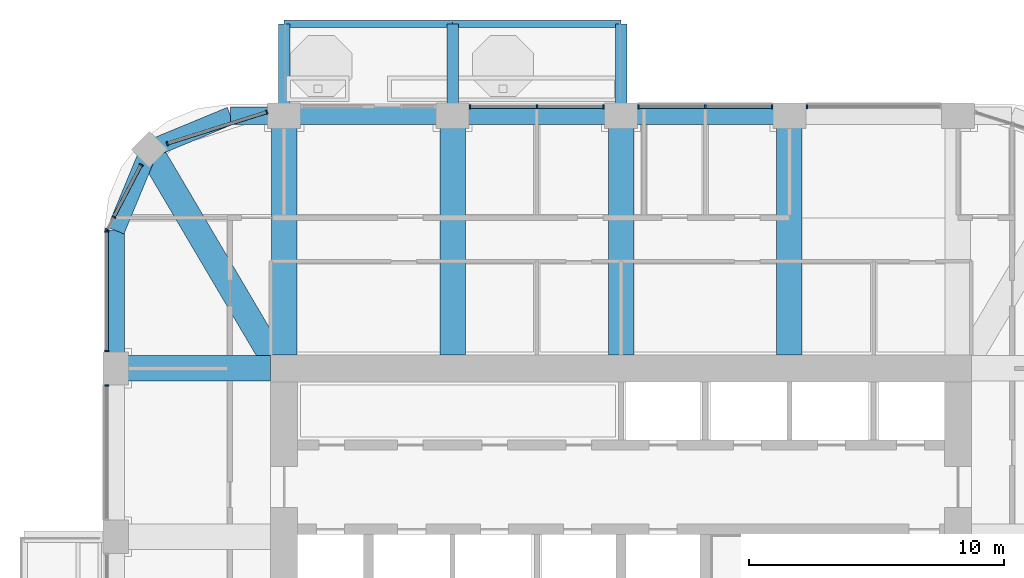
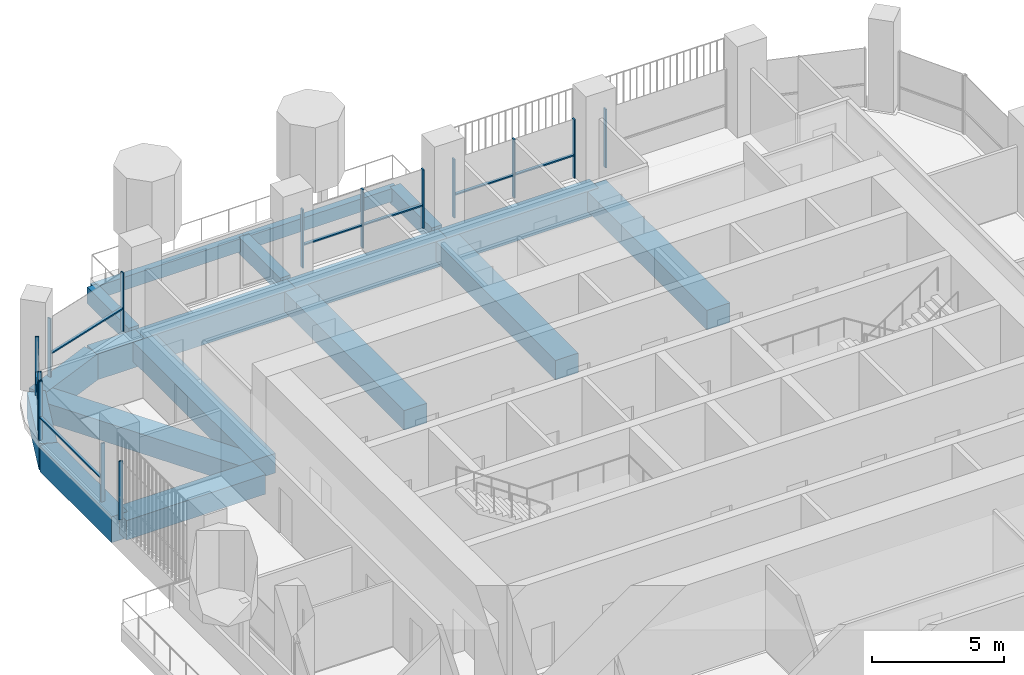
# One storey, part 6 of 20: 22 members, 18 beams, 7 elements without a shape of their own.
"""IFC4 building model written with IfcOpenShell, lengths in metres."""

from ifc_helpers import new_model, si_unit, direction, frame, origin, origin_2d, place, context, subcontext, project, spatial, rectangle, extrude, material, material_profile, profile_set, type_object, element, aggregate, save


model = new_model("IFC4")

# Units and contexts
model_context = context("Model", 3, precision=1e-05, world=origin(), true_north=direction((0.0, 1.0)))
body_context = subcontext(model_context, "Body", "Model", "MODEL_VIEW")
ifc_project = project(units=[si_unit("LENGTHUNIT", "METRE"), si_unit("AREAUNIT", "SQUARE_METRE"), si_unit("VOLUMEUNIT", "CUBIC_METRE"), si_unit("PLANEANGLEUNIT", "RADIAN"), si_unit("MASSUNIT", "GRAM", prefix="KILO")], contexts=[model_context])

# Site, building, storey
site_placement = place(None, origin())
site = spatial("IfcSite", under=ifc_project, at=site_placement, CompositionType="ELEMENT")
building_placement = place(site_placement, origin())
building = spatial("IfcBuilding", under=site, at=building_placement, Name="Cobogo Forest Laboratory Tower", CompositionType="ELEMENT")
storey_placement = place(building_placement, frame((0.0, 0.0, 246.0)))
storey = spatial("IfcBuildingStorey", under=building, at=storey_placement, Name="L56", CompositionType="ELEMENT", Elevation=246.0)

# Beams
ifc_material_1 = material(Name="Concrete HA-40 (C40/50)", Category="concrete")
ifc_material_profile_1 = material_profile(ifc_material_1, rectangle(XDim=0.449951171875, YDim=0.75, at=origin_2d()), Name="RC 450x750")
ifc_profile_set_1 = profile_set([ifc_material_profile_1], Name="Concrete HA-40 (C40/50)")
beam_type_1 = type_object("IfcBeamType", Name="Balcony cantilever beam 450x750", PredefinedType="BEAM", material=ifc_profile_set_1)
for number, where, z_axis, x_axis, name in (
    (1, (13.199951171875, 43.35009765625, -0.625), (0.0, 1.0, 0.0), (-1.0, 0.0, 0.0), "CB1 BAL-N1-C1 L56"),
    (2, (19.800048828125, 43.35009765625, -0.625), (0.0, 1.0, 0.0), (-1.0, 0.0, 0.0), "CB1 BAL-N1-C2 L56"),
    (3, (26.39990234375, 43.35009765625, -0.625), (0.0, 1.0, 0.0), (-1.0, 0.0, 0.0), "CB1 BAL-N1-C3 L56"),
):
    element("IfcBeam", number, at=place(storey_placement, frame(where, z_axis=z_axis, x_axis=x_axis)), inside=storey, type_object=beam_type_1, Name=name, PredefinedType="BEAM", context=body_context, shape_type="SweptSolid", body=[
        extrude(rectangle(XDim=0.449951171875, YDim=0.75, at=origin_2d()), origin(), (0.0, 0.0, 1.0), 3.14990234375),
    ])
ifc_material_profile_2 = material_profile(ifc_material_1, rectangle(XDim=0.300048828125, YDim=0.60009765625, at=origin_2d()), Name="RC 300x600")
ifc_profile_set_2 = profile_set([ifc_material_profile_2], Name="Concrete HA-40 (C40/50)")
beam_type_2 = type_object("IfcBeamType", Name="Balcony edge beam 300x600", PredefinedType="BEAM", material=ifc_profile_set_2)
beam_1_placement = place(storey_placement, frame((13.199951171875, 46.5, -0.550048828125), z_axis=(1.0, 0.0, 0.0), x_axis=(0.0, 1.0, 0.0)))
element("IfcBeam", 4, at=beam_1_placement, inside=storey, type_object=beam_type_2, Name="BB1 BAL-N1-T1 L56", PredefinedType="BEAM", context=body_context, shape_type="SweptSolid", body=[
    extrude(rectangle(XDim=0.300048828125, YDim=0.60009765625, at=origin_2d()), origin(), (0.0, 0.0, 1.0), 6.60009765625),
])
beam_2_placement = place(storey_placement, frame((19.800048828125, 46.5, -0.550048828125), z_axis=(1.0, 0.0, 0.0), x_axis=(0.0, 1.0, 0.0)))
element("IfcBeam", 5, at=beam_2_placement, inside=storey, type_object=beam_type_2, Name="BB1 BAL-N1-T2 L56", PredefinedType="BEAM", context=body_context, shape_type="SweptSolid", body=[
    extrude(rectangle(XDim=0.300048828125, YDim=0.60009765625, at=origin_2d()), origin(), (0.0, 0.0, 1.0), 6.599853515625),
])

# Curtain wall, member
ifc_material_2 = material(Name="Aluminium curtain wall", Category="aluminium")
curtain_wall_type = type_object("IfcCurtainWallType", Name="CW-2 unitised curtain wall, solar control glazing, laboratory floors zones C and D", PredefinedType="USERDEFINED", material=ifc_material_2)
curtain_wall_1_placement = place(storey_placement, origin())
curtain_wall_1 = element("IfcCurtainWall", 6, at=curtain_wall_1_placement, inside=storey, type_object=curtain_wall_type, Name="Curtain wall 14 L56", ObjectType="UNITISED CURTAIN WALL", PredefinedType="USERDEFINED")
ifc_material_3 = material(Name="Aluminium mullion", Category="aluminium")
ifc_material_profile_3 = material_profile(ifc_material_3, rectangle(XDim=0.06005859375, YDim=0.159912109375, at=origin_2d()), Name="AL 60x160")
ifc_profile_set_3 = profile_set([ifc_material_profile_3], Name="Aluminium mullion")
member_type_1 = type_object("IfcMemberType", Name="MU-1 aluminium mullion 60x160", PredefinedType="MULLION", material=ifc_profile_set_3)
member_1_placement = place(storey_placement, frame((33.679931640625, 43.25, 0.0), z_axis=(0.0, 0.0, 1.0), x_axis=(-1.0, 0.0, 0.0)))
member_1 = element("IfcMember", 7, at=member_1_placement, type_object=member_type_1, Name="CW-2 mullion 2", PredefinedType="MULLION", context=body_context, shape_type="SweptSolid", body=[
    extrude(rectangle(XDim=0.06005859375, YDim=0.159912109375, at=origin_2d()), origin(), (0.0, 0.0, 1.0), 2.699951171875),
])
aggregate(curtain_wall_1, [member_1])

# Curtain wall, members
curtain_wall_2_placement = place(storey_placement, origin())
curtain_wall_2 = element("IfcCurtainWall", 8, at=curtain_wall_2_placement, inside=storey, type_object=curtain_wall_type, Name="Curtain wall 15 L56", ObjectType="UNITISED CURTAIN WALL", PredefinedType="USERDEFINED")
member_2_placement = place(storey_placement, frame((32.320068359375, 43.25, 0.0), z_axis=(0.0, 0.0, 1.0), x_axis=(-1.0, 0.0, 0.0)))
member_2 = element("IfcMember", 9, at=member_2_placement, type_object=member_type_1, Name="CW-2 mullion 1", PredefinedType="MULLION", context=body_context, shape_type="SweptSolid", body=[
    extrude(rectangle(XDim=0.06005859375, YDim=0.159912109375, at=origin_2d()), origin(), (0.0, 0.0, 1.0), 2.699951171875),
])
member_3_placement = place(storey_placement, frame((29.699951171875, 43.25, 0.0), z_axis=(0.0, 0.0, 1.0), x_axis=(-1.0, 0.0, 0.0)))
member_3 = element("IfcMember", 10, at=member_3_placement, type_object=member_type_1, Name="CW-2 mullion 2", PredefinedType="MULLION", context=body_context, shape_type="SweptSolid", body=[
    extrude(rectangle(XDim=0.06005859375, YDim=0.159912109375, at=origin_2d()), origin(), (0.0, 0.0, 1.0), 2.699951171875),
])
member_4_placement = place(storey_placement, frame((27.080078125, 43.25, 0.0), z_axis=(0.0, 0.0, 1.0), x_axis=(-1.0, 0.0, 0.0)))
member_4 = element("IfcMember", 11, at=member_4_placement, type_object=member_type_1, Name="CW-2 mullion 3", PredefinedType="MULLION", context=body_context, shape_type="SweptSolid", body=[
    extrude(rectangle(XDim=0.06005859375, YDim=0.159912109375, at=origin_2d()), origin(), (0.0, 0.0, 1.0), 2.699951171875),
])

curtain_wall_3_placement = place(storey_placement, origin())
curtain_wall_3 = element("IfcCurtainWall", 12, at=curtain_wall_3_placement, inside=storey, type_object=curtain_wall_type, Name="Curtain wall 16 L56", ObjectType="UNITISED CURTAIN WALL", PredefinedType="USERDEFINED")
member_5_placement = place(storey_placement, frame((25.719970703125, 43.25, 0.0), z_axis=(0.0, 0.0, 1.0), x_axis=(-1.0, 0.0, 0.0)))
member_5 = element("IfcMember", 13, at=member_5_placement, type_object=member_type_1, Name="CW-2 mullion 1", PredefinedType="MULLION", context=body_context, shape_type="SweptSolid", body=[
    extrude(rectangle(XDim=0.06005859375, YDim=0.159912109375, at=origin_2d()), origin(), (0.0, 0.0, 1.0), 2.699951171875),
])
member_6_placement = place(storey_placement, frame((23.10009765625, 43.25, 0.0), z_axis=(0.0, 0.0, 1.0), x_axis=(-1.0, 0.0, 0.0)))
member_6 = element("IfcMember", 14, at=member_6_placement, type_object=member_type_1, Name="CW-2 mullion 2", PredefinedType="MULLION", context=body_context, shape_type="SweptSolid", body=[
    extrude(rectangle(XDim=0.06005859375, YDim=0.159912109375, at=origin_2d()), origin(), (0.0, 0.0, 1.0), 2.699951171875),
])
member_7_placement = place(storey_placement, frame((20.47998046875, 43.25, 0.0), z_axis=(0.0, 0.0, 1.0), x_axis=(-1.0, 0.0, 0.0)))
member_7 = element("IfcMember", 15, at=member_7_placement, type_object=member_type_1, Name="CW-2 mullion 3", PredefinedType="MULLION", context=body_context, shape_type="SweptSolid", body=[
    extrude(rectangle(XDim=0.06005859375, YDim=0.159912109375, at=origin_2d()), origin(), (0.0, 0.0, 1.0), 2.699951171875),
])

curtain_wall_4_placement = place(storey_placement, origin())
curtain_wall_4 = element("IfcCurtainWall", 16, at=curtain_wall_4_placement, inside=storey, type_object=curtain_wall_type, Name="Curtain wall 18 L56", ObjectType="UNITISED CURTAIN WALL", PredefinedType="USERDEFINED")
member_8_placement = place(storey_placement, frame((12.521484375, 43.03564453125, 0.0), z_axis=(0.0, 0.0, 1.0), x_axis=(-0.953581386052, -0.301135418334, 0.0)))
member_8 = element("IfcMember", 17, at=member_8_placement, type_object=member_type_1, Name="CW-2 mullion 1", PredefinedType="MULLION", context=body_context, shape_type="SweptSolid", body=[
    extrude(rectangle(XDim=0.06005859375, YDim=0.159912109375, at=origin_2d()), origin(), (0.0, 0.0, 1.0), 2.699951171875),
])
member_9_placement = place(storey_placement, frame((8.623779296875, 41.804931640625, 0.0), z_axis=(0.0, 0.0, 1.0), x_axis=(-0.953581386052, -0.301135418334, 0.0)))
member_9 = element("IfcMember", 18, at=member_9_placement, type_object=member_type_1, Name="CW-2 mullion 2", PredefinedType="MULLION", context=body_context, shape_type="SweptSolid", body=[
    extrude(rectangle(XDim=0.06005859375, YDim=0.159912109375, at=origin_2d()), origin(), (0.0, 0.0, 1.0), 2.699951171875),
])

curtain_wall_5_placement = place(storey_placement, origin())
curtain_wall_5 = element("IfcCurtainWall", 19, at=curtain_wall_5_placement, inside=storey, type_object=curtain_wall_type, Name="Curtain wall 19 L56", ObjectType="UNITISED CURTAIN WALL", PredefinedType="USERDEFINED")
member_10_placement = place(storey_placement, frame((7.59765625, 40.970947265625, 0.0), z_axis=(0.0, 0.0, 1.0), x_axis=(-0.464283791352, -0.885686491422, 0.0)))
member_10 = element("IfcMember", 20, at=member_10_placement, type_object=member_type_1, Name="CW-2 mullion 1", PredefinedType="MULLION", context=body_context, shape_type="SweptSolid", body=[
    extrude(rectangle(XDim=0.06005859375, YDim=0.159912109375, at=origin_2d()), origin(), (0.0, 0.0, 1.0), 2.699951171875),
])
member_11_placement = place(storey_placement, frame((6.531494140625, 38.937255859375, 0.0), z_axis=(0.0, 0.0, 1.0), x_axis=(-0.464283791352, -0.885686491422, 0.0)))
member_11 = element("IfcMember", 21, at=member_11_placement, type_object=member_type_1, Name="CW-2 mullion 2", PredefinedType="MULLION", context=body_context, shape_type="SweptSolid", body=[
    extrude(rectangle(XDim=0.06005859375, YDim=0.159912109375, at=origin_2d()), origin(), (0.0, 0.0, 1.0), 2.699951171875),
])
member_12_placement = place(storey_placement, frame((6.263916015625, 38.426513671875, 0.0), z_axis=(0.0, 0.0, 1.0), x_axis=(-0.464283791352, -0.885686491422, 0.0)))
member_12 = element("IfcMember", 22, at=member_12_placement, type_object=member_type_1, Name="CW-2 mullion 3", PredefinedType="MULLION", context=body_context, shape_type="SweptSolid", body=[
    extrude(rectangle(XDim=0.06005859375, YDim=0.159912109375, at=origin_2d()), origin(), (0.0, 0.0, 1.0), 2.699951171875),
])

curtain_wall_6_placement = place(storey_placement, origin())
curtain_wall_6 = element("IfcCurtainWall", 23, at=curtain_wall_6_placement, inside=storey, type_object=curtain_wall_type, Name="Curtain wall 20 L56", ObjectType="UNITISED CURTAIN WALL", PredefinedType="USERDEFINED")
member_13_placement = place(storey_placement, frame((6.25, 38.3701171875, 0.0), z_axis=(0.0, 0.0, 1.0), x_axis=(0.0, -1.0, 0.0)))
member_13 = element("IfcMember", 24, at=member_13_placement, type_object=member_type_1, Name="CW-2 mullion 1", PredefinedType="MULLION", context=body_context, shape_type="SweptSolid", body=[
    extrude(rectangle(XDim=0.06005859375, YDim=0.159912109375, at=origin_2d()), origin(), (0.0, 0.0, 1.0), 2.699951171875),
])
member_14_placement = place(storey_placement, frame((6.25, 33.679931640625, 0.0), z_axis=(0.0, 0.0, 1.0), x_axis=(0.0, -1.0, 0.0)))
member_14 = element("IfcMember", 25, at=member_14_placement, type_object=member_type_1, Name="CW-2 mullion 2", PredefinedType="MULLION", context=body_context, shape_type="SweptSolid", body=[
    extrude(rectangle(XDim=0.06005859375, YDim=0.159912109375, at=origin_2d()), origin(), (0.0, 0.0, 1.0), 2.699951171875),
])

# Curtain wall, member
curtain_wall_7_placement = place(storey_placement, origin())
curtain_wall_7 = element("IfcCurtainWall", 26, at=curtain_wall_7_placement, inside=storey, type_object=curtain_wall_type, Name="Curtain wall 21 L56", ObjectType="UNITISED CURTAIN WALL", PredefinedType="USERDEFINED")
member_15_placement = place(storey_placement, frame((6.25, 32.320068359375, 0.0), z_axis=(0.0, 0.0, 1.0), x_axis=(0.0, -1.0, 0.0)))
member_15 = element("IfcMember", 27, at=member_15_placement, type_object=member_type_1, Name="CW-2 mullion 1", PredefinedType="MULLION", context=body_context, shape_type="SweptSolid", body=[
    extrude(rectangle(XDim=0.06005859375, YDim=0.159912109375, at=origin_2d()), origin(), (0.0, 0.0, 1.0), 2.699951171875),
])
aggregate(curtain_wall_7, [member_15])

# Beams
ifc_material_profile_4 = material_profile(ifc_material_1, rectangle(XDim=1.0, YDim=0.89990234375, at=origin_2d()), Name="RC 1000x900")
ifc_profile_set_4 = profile_set([ifc_material_profile_4], Name="Concrete HA-40 (C40/50)")
beam_type_3 = type_object("IfcBeamType", Name="Office floor wide beam 1000x900", PredefinedType="BEAM", material=ifc_profile_set_4)
for number, where, z_axis, x_axis, name in (
    (28, (13.199951171875, 33.52490234375, -0.75), (0.0, 1.0, 0.0), (-1.0, 0.0, 0.0), "RB2 R-3-N L56"),
    (29, (19.800048828125, 33.52490234375, -0.75), (0.0, 1.0, 0.0), (-1.0, 0.0, 0.0), "RB2 R-4-N L56"),
    (30, (26.39990234375, 33.52490234375, -0.75), (0.0, 1.0, 0.0), (-1.0, 0.0, 0.0), "RB2 R-5-N L56"),
    (31, (33.0, 33.52490234375, -0.75), (0.0, 1.0, 0.0), (-1.0, 0.0, 0.0), "RB2 R-6-N L56"),
):
    element("IfcBeam", number, at=place(storey_placement, frame(where, z_axis=z_axis, x_axis=x_axis)), inside=storey, type_object=beam_type_3, Name=name, PredefinedType="BEAM", context=body_context, shape_type="SweptSolid", body=[
        extrude(rectangle(XDim=1.0, YDim=0.89990234375, at=origin_2d()), origin(), (0.0, 0.0, 1.0), 9.375),
    ])
beam_3_placement = place(storey_placement, frame((12.675048828125, 33.0, -0.75), z_axis=(-1.0, 0.0, 0.0), x_axis=(0.0, -1.0, 0.0)))
element("IfcBeam", 32, at=beam_3_placement, inside=storey, type_object=beam_type_3, Name="RB2 R-F-W L56", PredefinedType="BEAM", context=body_context, shape_type="SweptSolid", body=[
    extrude(rectangle(XDim=1.0, YDim=0.89990234375, at=origin_2d()), origin(), (0.0, 0.0, 1.0), 6.074951171875),
])
beam_4_placement = place(storey_placement, frame((7.91796875, 41.58203125, -0.75), z_axis=(0.508416325908, -0.861111397875, 0.0), x_axis=(0.861111397875, 0.508416325908, 0.0)))
element("IfcBeam", 33, at=beam_4_placement, inside=storey, type_object=beam_type_3, Name="RB2 G-NW-D1 L56", PredefinedType="BEAM", context=body_context, shape_type="SweptSolid", body=[
    extrude(rectangle(XDim=1.0, YDim=0.89990234375, at=origin_2d()), origin(), (0.0, 0.0, 1.0), 9.356689453125),
])
ifc_material_profile_5 = material_profile(ifc_material_1, rectangle(XDim=0.699951171875, YDim=1.199951171875, at=origin_2d()), Name="RC 700x1200")
ifc_profile_set_5 = profile_set([ifc_material_profile_5], Name="Concrete HA-40 (C40/50)")
beam_type_4 = type_object("IfcBeamType", Name="Perimeter edge beam 700x1200", PredefinedType="BEAM", material=ifc_profile_set_5)
beam_5_placement = place(storey_placement, frame((13.199951171875, 42.89990234375, -0.89990234375), z_axis=(1.0, 0.0, 0.0), x_axis=(0.0, 1.0, 0.0)))
element("IfcBeam", 34, at=beam_5_placement, inside=storey, type_object=beam_type_4, Name="EB1 E-N1 L56", PredefinedType="BEAM", context=body_context, shape_type="SweptSolid", body=[
    extrude(rectangle(XDim=0.699951171875, YDim=1.199951171875, at=origin_2d()), origin(), (0.0, 0.0, 1.0), 6.60009765625),
])
beam_6_placement = place(storey_placement, frame((19.800048828125, 42.89990234375, -0.89990234375), z_axis=(1.0, 0.0, 0.0), x_axis=(0.0, 1.0, 0.0)))
element("IfcBeam", 35, at=beam_6_placement, inside=storey, type_object=beam_type_4, Name="EB1 E-N2 L56", PredefinedType="BEAM", context=body_context, shape_type="SweptSolid", body=[
    extrude(rectangle(XDim=0.699951171875, YDim=1.199951171875, at=origin_2d()), origin(), (0.0, 0.0, 1.0), 6.599853515625),
])
beam_7_placement = place(storey_placement, frame((26.39990234375, 42.89990234375, -0.89990234375), z_axis=(1.0, 0.0, 0.0), x_axis=(0.0, 1.0, 0.0)))
element("IfcBeam", 36, at=beam_7_placement, inside=storey, type_object=beam_type_4, Name="EB1 E-N3 L56", PredefinedType="BEAM", context=body_context, shape_type="SweptSolid", body=[
    extrude(rectangle(XDim=0.699951171875, YDim=1.199951171875, at=origin_2d()), origin(), (0.0, 0.0, 1.0), 6.60009765625),
])
beam_8_placement = place(storey_placement, frame((13.199951171875, 42.89990234375, -0.89990234375), z_axis=(-1.0, 0.0, 0.0), x_axis=(0.0, -1.0, 0.0)))
element("IfcBeam", 37, at=beam_8_placement, inside=storey, type_object=beam_type_4, Name="EB1 E-NWN1 L56", PredefinedType="BEAM", context=body_context, shape_type="SweptSolid", body=[
    extrude(rectangle(XDim=0.699951171875, YDim=1.199951171875, at=origin_2d()), origin(), (0.0, 0.0, 1.0), 2.099853515625),
])
beam_9_placement = place(storey_placement, frame((11.10009765625, 42.89990234375, -0.89990234375), z_axis=(-0.923901072997, -0.382631424892, 0.0), x_axis=(0.382631424892, -0.923901072997, 0.0)))
element("IfcBeam", 38, at=beam_9_placement, inside=storey, type_object=beam_type_4, Name="EB1 E-NWN2 L56", PredefinedType="BEAM", context=body_context, shape_type="SweptSolid", body=[
    extrude(rectangle(XDim=0.699951171875, YDim=1.199951171875, at=origin_2d()), origin(), (0.0, 0.0, 1.0), 3.4443359375),
])
beam_10_placement = place(storey_placement, frame((6.60009765625, 33.0, -0.89990234375), z_axis=(0.0, 1.0, 0.0), x_axis=(-1.0, 0.0, 0.0)))
element("IfcBeam", 39, at=beam_10_placement, inside=storey, type_object=beam_type_4, Name="EB1 E-NWW1 L56", PredefinedType="BEAM", context=body_context, shape_type="SweptSolid", body=[
    extrude(rectangle(XDim=0.699951171875, YDim=1.199951171875, at=origin_2d()), origin(), (0.0, 0.0, 1.0), 5.39990234375),
])
beam_11_placement = place(storey_placement, frame((6.60009765625, 38.39990234375, -0.89990234375), z_axis=(0.382631424892, 0.923901072997, 0.0), x_axis=(-0.923901072997, 0.382631424892, 0.0)))
element("IfcBeam", 40, at=beam_11_placement, inside=storey, type_object=beam_type_4, Name="EB1 E-NWW2 L56", PredefinedType="BEAM", context=body_context, shape_type="SweptSolid", body=[
    extrude(rectangle(XDim=0.699951171875, YDim=1.199951171875, at=origin_2d()), origin(), (0.0, 0.0, 1.0), 3.4443359375),
])

# Member
ifc_material_4 = material(Name="Aluminium transom", Category="aluminium")
ifc_material_profile_6 = material_profile(ifc_material_4, rectangle(XDim=0.1201171875, YDim=0.06005859375, at=origin_2d()), Name="AL 60x120")
ifc_profile_set_6 = profile_set([ifc_material_profile_6], Name="Aluminium transom")
member_type_2 = type_object("IfcMemberType", Name="TR-1 aluminium transom 60x120", PredefinedType="USERDEFINED", material=ifc_profile_set_6)
member_16_placement = place(storey_placement, frame((32.2900390625, 43.25, 1.050048828125), z_axis=(-1.0, 0.0, 0.0), x_axis=(0.0, -1.0, 0.0)))
member_16 = element("IfcMember", 41, at=member_16_placement, type_object=member_type_2, Name="CW-2 transom 1.1", ObjectType="TRANSOM", PredefinedType="USERDEFINED", context=body_context, shape_type="SweptSolid", body=[
    extrude(rectangle(XDim=0.1201171875, YDim=0.06005859375, at=origin_2d()), origin(), (0.0, 0.0, 1.0), 2.56005859375),
])

member_17_placement = place(storey_placement, frame((29.669921875, 43.25, 1.050048828125), z_axis=(-1.0, 0.0, 0.0), x_axis=(0.0, -1.0, 0.0)))
member_17 = element("IfcMember", 42, at=member_17_placement, type_object=member_type_2, Name="CW-2 transom 2.1", ObjectType="TRANSOM", PredefinedType="USERDEFINED", context=body_context, shape_type="SweptSolid", body=[
    extrude(rectangle(XDim=0.1201171875, YDim=0.06005859375, at=origin_2d()), origin(), (0.0, 0.0, 1.0), 2.559814453125),
])

aggregate(curtain_wall_2, [member_2, member_3, member_4, member_16, member_17])

member_18_placement = place(storey_placement, frame((25.68994140625, 43.25, 1.050048828125), z_axis=(-1.0, 0.0, 0.0), x_axis=(0.0, -1.0, 0.0)))
member_18 = element("IfcMember", 43, at=member_18_placement, type_object=member_type_2, Name="CW-2 transom 1.1", ObjectType="TRANSOM", PredefinedType="USERDEFINED", context=body_context, shape_type="SweptSolid", body=[
    extrude(rectangle(XDim=0.1201171875, YDim=0.06005859375, at=origin_2d()), origin(), (0.0, 0.0, 1.0), 2.56005859375),
])

member_19_placement = place(storey_placement, frame((23.070068359375, 43.25, 1.050048828125), z_axis=(-1.0, 0.0, 0.0), x_axis=(0.0, -1.0, 0.0)))
member_19 = element("IfcMember", 44, at=member_19_placement, type_object=member_type_2, Name="CW-2 transom 2.1", ObjectType="TRANSOM", PredefinedType="USERDEFINED", context=body_context, shape_type="SweptSolid", body=[
    extrude(rectangle(XDim=0.1201171875, YDim=0.06005859375, at=origin_2d()), origin(), (0.0, 0.0, 1.0), 2.56005859375),
])

aggregate(curtain_wall_3, [member_5, member_6, member_7, member_18, member_19])

member_20_placement = place(storey_placement, frame((12.49267578125, 43.026611328125, 1.050048828125), z_axis=(-0.953589078362, -0.301111058628, 0.0), x_axis=(0.301111058628, -0.953589078362, 0.0)))
member_20 = element("IfcMember", 45, at=member_20_placement, type_object=member_type_2, Name="CW-2 transom 1.1", ObjectType="TRANSOM", PredefinedType="USERDEFINED", context=body_context, shape_type="SweptSolid", body=[
    extrude(rectangle(XDim=0.1201171875, YDim=0.06005859375, at=origin_2d()), origin(), (0.0, 0.0, 1.0), 4.02734375),
])

aggregate(curtain_wall_4, [member_8, member_9, member_20])

member_21_placement = place(storey_placement, frame((7.583740234375, 40.9443359375, 1.050048828125), z_axis=(-0.464292517379, -0.885681917116, 0.0), x_axis=(0.885681917116, -0.464292517379, 0.0)))
member_21 = element("IfcMember", 46, at=member_21_placement, type_object=member_type_2, Name="CW-2 transom 1.1", ObjectType="TRANSOM", PredefinedType="USERDEFINED", context=body_context, shape_type="SweptSolid", body=[
    extrude(rectangle(XDim=0.1201171875, YDim=0.06005859375, at=origin_2d()), origin(), (0.0, 0.0, 1.0), 2.236328125),
])

aggregate(curtain_wall_5, [member_10, member_11, member_12, member_21])

member_22_placement = place(storey_placement, frame((6.25, 38.340087890625, 1.050048828125), z_axis=(0.0, -1.0, 0.0), x_axis=(1.0, 0.0, 0.0)))
member_22 = element("IfcMember", 47, at=member_22_placement, type_object=member_type_2, Name="CW-2 transom 1.1", ObjectType="TRANSOM", PredefinedType="USERDEFINED", context=body_context, shape_type="SweptSolid", body=[
    extrude(rectangle(XDim=0.1201171875, YDim=0.06005859375, at=origin_2d()), origin(), (0.0, 0.0, 1.0), 4.630126953125),
])

aggregate(curtain_wall_6, [member_13, member_14, member_22])

save(model, "model.ifc")
